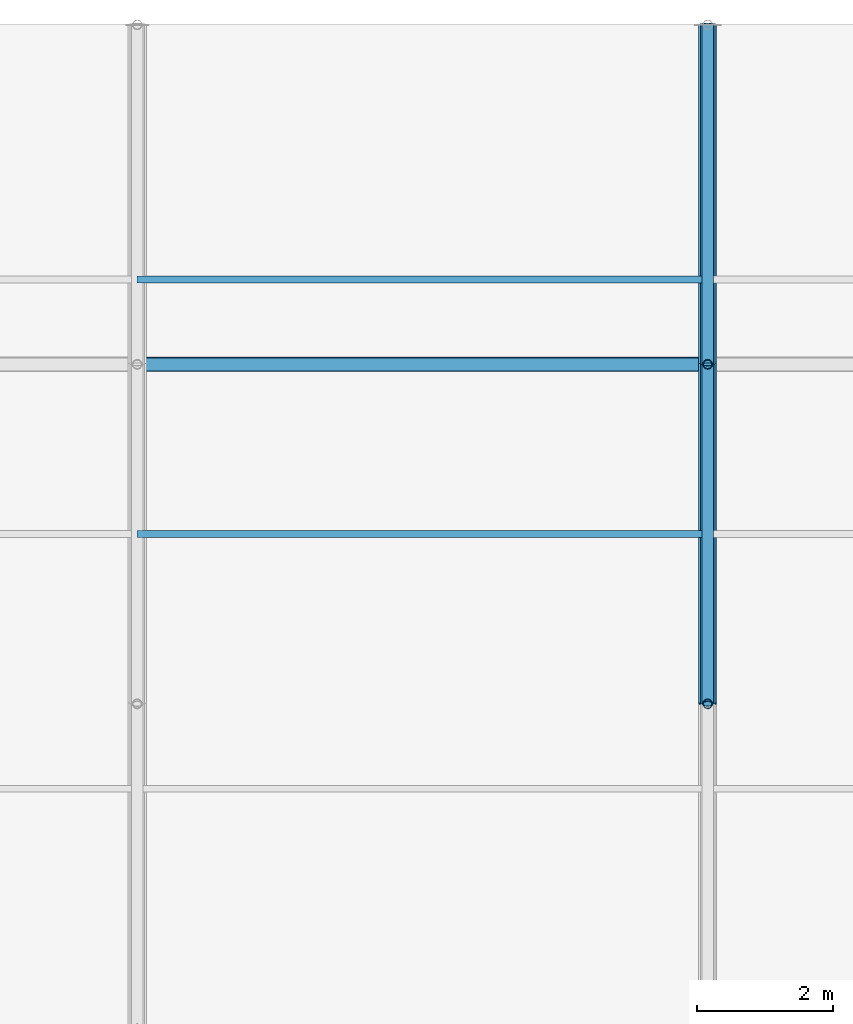
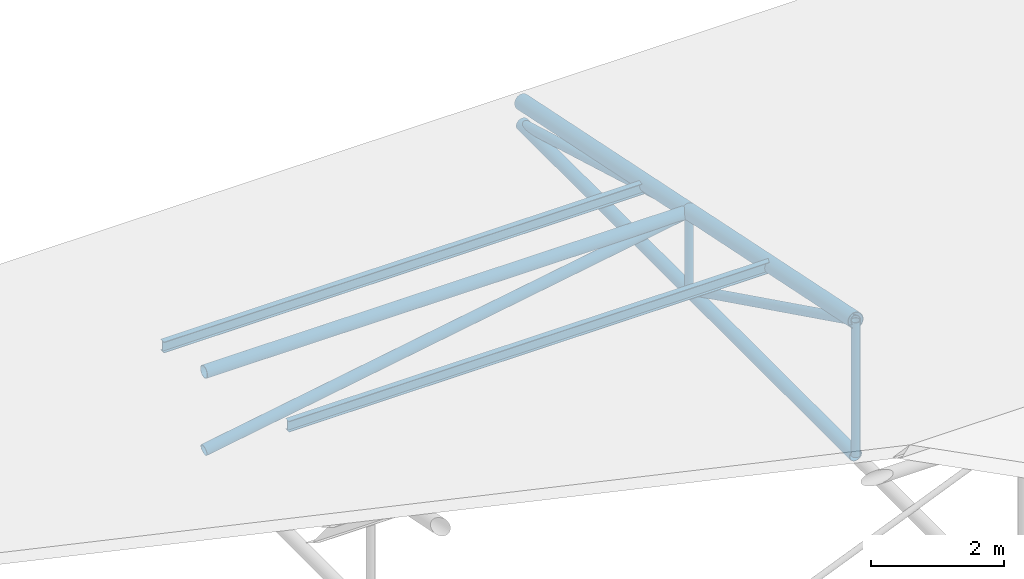
# One storey, part 46 of 194: 10 members, 2 beams.
"""IFC4 building model written with IfcOpenShell, lengths in metres."""

from ifc_helpers import new_model, si_unit, direction, frame, origin, origin_2d, place, context, subcontext, project, spatial, hollow_circle, i_section, extrude, material, material_profile, profile_set, type_object, element, save


model = new_model("IFC4")

# Units and contexts
model_context = context("Model", 3, precision=1e-05, world=origin(), true_north=direction((0.0, 1.0)))
body_context = subcontext(model_context, "Body", "Model", "MODEL_VIEW")
ifc_project = project(units=[si_unit("LENGTHUNIT", "METRE"), si_unit("AREAUNIT", "SQUARE_METRE"), si_unit("VOLUMEUNIT", "CUBIC_METRE"), si_unit("PLANEANGLEUNIT", "RADIAN"), si_unit("MASSUNIT", "GRAM", prefix="KILO")], contexts=[model_context])

# Site, building, storey
site_placement = place(None, origin())
site = spatial("IfcSite", under=ifc_project, at=site_placement, CompositionType="ELEMENT")
building_placement = place(site_placement, origin())
building = spatial("IfcBuilding", under=site, at=building_placement, Name="Kazenagashi Tramway Depot", CompositionType="ELEMENT")
storey_placement = place(building_placement, frame((0.0, 0.0, 23.7)))
storey = spatial("IfcBuildingStorey", under=building, at=storey_placement, Name="ROOF", CompositionType="ELEMENT", Elevation=23.7)

# Beams
ifc_material_1 = material(Name="Steel SN400B", Category="steel")
ifc_material_profile_1 = material_profile(ifc_material_1, i_section(OverallWidth=0.1, OverallDepth=0.2, WebThickness=0.0055, FlangeThickness=0.008, at=origin_2d()), Name="H-200x100x5.5x8")
ifc_profile_set_1 = profile_set([ifc_material_profile_1], Name="Steel SN400B")
beam_type = type_object("IfcBeamType", Name="PR-01", PredefinedType="USERDEFINED", material=ifc_profile_set_1)
for number, where, z_axis, x_axis, name in (
    (1, (70.0, 122.5, -12.13), (1.0, 0.0, 0.0), (0.0, 1.0, 0.0), "Beam PR-01 BM-2201"),
    (2, (70.0, 126.25, -12.955), (1.0, 0.0, 0.0), (0.0, 1.0, 0.0), "Beam PR-01 BM-2219"),
):
    element("IfcBeam", number, at=place(storey_placement, frame(where, z_axis=z_axis, x_axis=x_axis)), inside=storey, type_object=beam_type, Name=name, ObjectType="PURLIN", PredefinedType="USERDEFINED", context=body_context, shape_type="SweptSolid", body=[
        extrude(i_section(OverallWidth=0.1, OverallDepth=0.2, WebThickness=0.0055, FlangeThickness=0.008, at=origin_2d()), origin(), (0.0, 0.0, 1.0), 8.4),
    ])

# Members
ifc_material_2 = material(Name="Steel STK490", Category="steel")
ifc_material_profile_2 = material_profile(ifc_material_2, hollow_circle(Radius=0.1337, WallThickness=0.0093, at=origin_2d()), Name="CHS-267.4x9.3")
ifc_profile_set_2 = profile_set([ifc_material_profile_2], Name="Steel STK490")
member_type_1 = type_object("IfcMemberType", Name="TC-01", PredefinedType="CHORD", material=ifc_profile_set_2)
member_1_placement = place(storey_placement, frame((78.4, 120.0, -11.633), z_axis=(0.0, 0.979279174591, -0.202514933305), x_axis=(-1.0, 0.0, 0.0)))
element("IfcMember", 3, at=member_1_placement, inside=storey, type_object=member_type_1, Name="Tubular Space Frame TC-01 MEM-0288", PredefinedType="CHORD", context=body_context, shape_type="SweptSolid", body=[
    extrude(hollow_circle(Radius=0.1337, WallThickness=0.0093, at=origin_2d()), origin(), (0.0, 0.0, 1.0), 5.105796),
])
member_2_placement = place(storey_placement, frame((78.4, 125.0, -12.667), z_axis=(0.0, 0.979317999984, -0.202327098797), x_axis=(-1.0, 0.0, 0.0)))
element("IfcMember", 4, at=member_2_placement, inside=storey, type_object=member_type_1, Name="Tubular Space Frame TC-01 MEM-0291", PredefinedType="CHORD", context=body_context, shape_type="SweptSolid", body=[
    extrude(hollow_circle(Radius=0.1337, WallThickness=0.0093, at=origin_2d()), origin(), (0.0, 0.0, 1.0), 5.105594),
])
ifc_material_profile_3 = material_profile(ifc_material_2, hollow_circle(Radius=0.10815, WallThickness=0.0082, at=origin_2d()), Name="CHS-216.3x8.2")
ifc_profile_set_3 = profile_set([ifc_material_profile_3], Name="Steel STK490")
member_type_2 = type_object("IfcMemberType", Name="TC-02", PredefinedType="CHORD", material=ifc_profile_set_3)
member_3_placement = place(storey_placement, frame((70.0, 125.0, -12.667), z_axis=(1.0, 0.0, 0.0), x_axis=(0.0, 1.0, 0.0)))
element("IfcMember", 5, at=member_3_placement, inside=storey, type_object=member_type_2, Name="Tubular Space Frame TC-02 MEM-0243", PredefinedType="CHORD", context=body_context, shape_type="SweptSolid", body=[
    extrude(hollow_circle(Radius=0.10815, WallThickness=0.0082, at=origin_2d()), origin(), (0.0, 0.0, 1.0), 8.4),
])
for number, where, z_axis, x_axis, name in (
    (6, (78.4, 120.0, -14.1), (0.0, 1.0, 0.0), (-1.0, 0.0, 0.0), "Tubular Space Frame TC-02 MEM-0289"),
    (7, (78.4, 125.0, -14.1), (0.0, 1.0, 0.0), (-1.0, 0.0, 0.0), "Tubular Space Frame TC-02 MEM-0292"),
):
    element("IfcMember", number, at=place(storey_placement, frame(where, z_axis=z_axis, x_axis=x_axis)), inside=storey, type_object=member_type_2, Name=name, PredefinedType="CHORD", context=body_context, shape_type="SweptSolid", body=[
        extrude(hollow_circle(Radius=0.10815, WallThickness=0.0082, at=origin_2d()), origin(), (0.0, 0.0, 1.0), 5.0),
    ])
ifc_material_profile_4 = material_profile(ifc_material_2, hollow_circle(Radius=0.0826, WallThickness=0.0071, at=origin_2d()), Name="CHS-165.2x7.1")
ifc_profile_set_4 = profile_set([ifc_material_profile_4], Name="Steel STK490")
member_type_3 = type_object("IfcMemberType", Name="TS-01", PredefinedType="STRUT", material=ifc_profile_set_4)
member_4_placement = place(storey_placement, frame((78.4, 120.0, -11.633), z_axis=(0.0, 0.896782162482, -0.442472318969), x_axis=(-1.0, 0.0, 0.0)))
element("IfcMember", 8, at=member_4_placement, inside=storey, type_object=member_type_3, Name="Tubular Space Frame TS-01 MEM-0290", PredefinedType="STRUT", context=body_context, shape_type="SweptSolid", body=[
    extrude(hollow_circle(Radius=0.0826, WallThickness=0.0071, at=origin_2d()), origin(), (0.0, 0.0, 1.0), 5.57549),
])
member_5_placement = place(storey_placement, frame((78.4, 125.0, -12.667), z_axis=(0.0, 0.961298717795, -0.27550821252), x_axis=(-1.0, 0.0, 0.0)))
element("IfcMember", 9, at=member_5_placement, inside=storey, type_object=member_type_3, Name="Tubular Space Frame TS-01 MEM-0293", PredefinedType="STRUT", context=body_context, shape_type="SweptSolid", body=[
    extrude(hollow_circle(Radius=0.0826, WallThickness=0.0071, at=origin_2d()), origin(), (0.0, 0.0, 1.0), 5.201297),
])
ifc_material_profile_5 = material_profile(ifc_material_2, hollow_circle(Radius=0.0699, WallThickness=0.0066, at=origin_2d()), Name="CHS-139.8x6.6")
ifc_profile_set_5 = profile_set([ifc_material_profile_5], Name="Steel STK490")
member_type_4 = type_object("IfcMemberType", Name="TS-02", PredefinedType="STRUT", material=ifc_profile_set_5)
member_6_placement = place(storey_placement, frame((78.4, 120.0, -14.1), z_axis=(0.0, 0.0, 1.0), x_axis=(1.0, 0.0, 0.0)))
element("IfcMember", 10, at=member_6_placement, inside=storey, type_object=member_type_4, Name="Tubular Space Frame TS-02 MEM-0297", PredefinedType="STRUT", context=body_context, shape_type="SweptSolid", body=[
    extrude(hollow_circle(Radius=0.0699, WallThickness=0.0066, at=origin_2d()), origin(), (0.0, 0.0, 1.0), 2.467),
])
member_7_placement = place(storey_placement, frame((78.4, 125.0, -14.1), z_axis=(0.0, 0.0, 1.0), x_axis=(1.0, 0.0, 0.0)))
element("IfcMember", 11, at=member_7_placement, inside=storey, type_object=member_type_4, Name="Tubular Space Frame TS-02 MEM-0298", PredefinedType="STRUT", context=body_context, shape_type="SweptSolid", body=[
    extrude(hollow_circle(Radius=0.0699, WallThickness=0.0066, at=origin_2d()), origin(), (0.0, 0.0, 1.0), 1.433),
])
ifc_material_profile_6 = material_profile(ifc_material_2, hollow_circle(Radius=0.09535, WallThickness=0.007, at=origin_2d()), Name="CHS-190.7x7.0")
ifc_profile_set_6 = profile_set([ifc_material_profile_6], Name="Steel STK490")
member_type_5 = type_object("IfcMemberType", Name="TS-05", PredefinedType="STRUT", material=ifc_profile_set_6)
member_8_placement = place(storey_placement, frame((70.0, 125.0, -14.1), z_axis=(0.985758734117, 0.0, 0.168165745951), x_axis=(0.0, 1.0, 0.0)))
element("IfcMember", 12, at=member_8_placement, inside=storey, type_object=member_type_5, Name="Tubular Space Frame TS-05 MEM-0244", PredefinedType="STRUT", context=body_context, shape_type="SweptSolid", body=[
    extrude(hollow_circle(Radius=0.09535, WallThickness=0.007, at=origin_2d()), origin(), (0.0, 0.0, 1.0), 8.521355),
])

save(model, "model.ifc")
